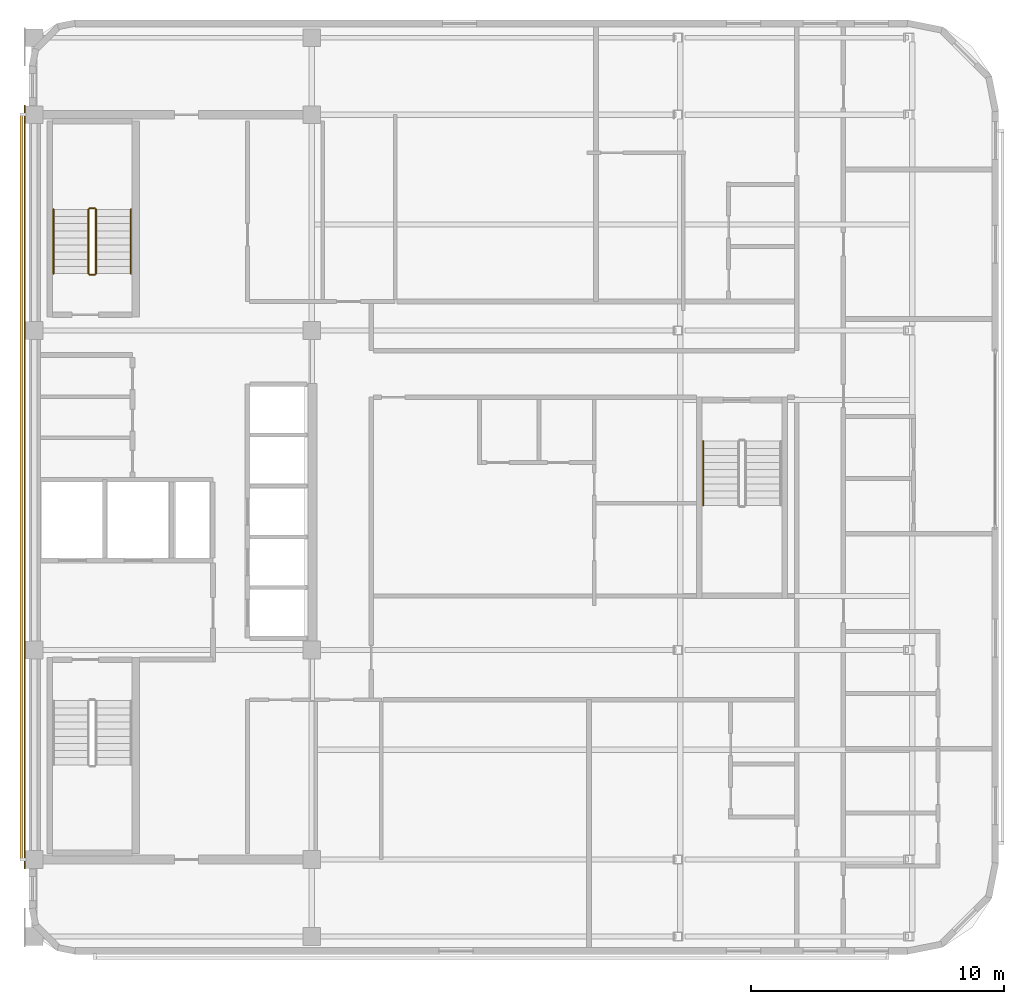
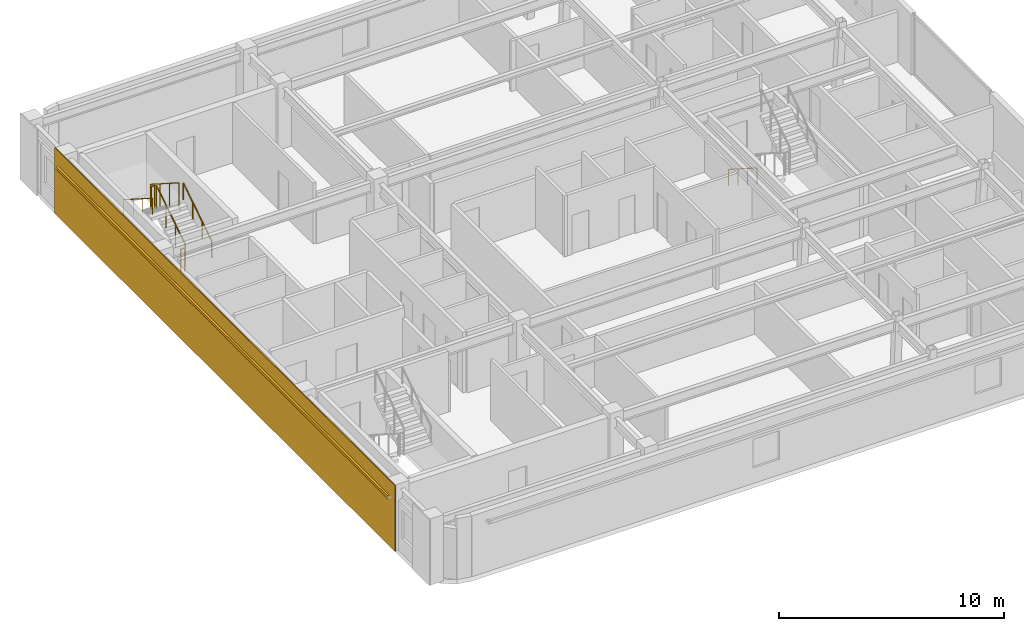
# One storey, part 9 of 11: 7 railings, 1 covering, 1 shading device.
"""IFC4 building model written with IfcOpenShell, lengths in metres."""

from ifc_helpers import new_model, si_unit, direction, frame, origin, origin_2d, place, context, subcontext, project, spatial, rectangle, circle, extrude, material, layer, layer_set, material_profile, profile_set, type_object, element, save


model = new_model("IFC4")

# Units and contexts
model_context = context("Model", 3, precision=1e-05, world=origin(), true_north=direction((0.0, 1.0)))
body_context = subcontext(model_context, "Body", "Model", "MODEL_VIEW")
ifc_project = project(units=[si_unit("LENGTHUNIT", "METRE"), si_unit("AREAUNIT", "SQUARE_METRE"), si_unit("VOLUMEUNIT", "CUBIC_METRE"), si_unit("PLANEANGLEUNIT", "RADIAN"), si_unit("MASSUNIT", "GRAM", prefix="KILO")], contexts=[model_context])

# Site, building, storey
site_placement = place(None, origin())
site = spatial("IfcSite", under=ifc_project, at=site_placement, CompositionType="ELEMENT")
building_placement = place(site_placement, origin())
building = spatial("IfcBuilding", under=site, at=building_placement, Name="Ochreholt Gables", CompositionType="ELEMENT")
storey_placement = place(building_placement, frame((0.0, 0.0, 278.39990234375)))
storey = spatial("IfcBuildingStorey", under=building, at=storey_placement, Name="L73", CompositionType="ELEMENT", Elevation=278.39990234375)

# Covering
ifc_material_1 = material(Name="Glazed Ochre Terracotta Rainscreen Cladding", Category="masonry")
ifc_layer = layer(ifc_material_1, 0.044921875, Name="Glazed Ochre Terracotta Rainscreen Cladding")
ifc_layer_set = layer_set([ifc_layer], Name="Glazed Ochre Terracotta Rainscreen Cladding")
covering_type = type_object("IfcCoveringType", Name="COV-CLAD-TC", PredefinedType="CLADDING", material=ifc_layer_set)
covering_placement = place(storey_placement, frame((23.827880859375, 24.0, 0.010009765625), z_axis=(0.0, 0.0, 1.0), x_axis=(0.0, 1.0, 0.0)))
element("IfcCovering", 1, at=covering_placement, inside=storey, type_object=covering_type, Name="L73 West Core Terracotta Rainscreen Cladding", PredefinedType="CLADDING", context=body_context, shape_type="SweptSolid", body=[
    extrude(rectangle(XDim=30.239990234375, YDim=0.044921875, at=origin_2d()), origin(), (0.0, 0.0, 1.0), 3.580078125),
])

# Railings
ifc_material_2 = material(Name="Painted Steel Stair Guardrail", Category="steel")
railing_type_1 = type_object("IfcRailingType", Name="RL-ST-GUARD", PredefinedType="GUARDRAIL", material=ifc_material_2)
railing_1_placement = place(storey_placement, frame((26.64990234375, 32.4599609375, 0.18017578125)))
element("IfcRailing", 2, at=railing_1_placement, inside=storey, type_object=railing_type_1, Name="L73 ST-2 stair guard 1", PredefinedType="GUARDRAIL", context=body_context, shape_type="SweptSolid", body=[
    extrude(circle(Radius=0.02392578125, at=origin_2d()), frame((0.0, 0.0, 1.22607421875), z_axis=(0.0, 0.842949592929, 0.537992549931), x_axis=(-1.0, 0.0, 0.0)), (0.0, 0.0, 1.0), 3.010986328125),
    extrude(circle(Radius=0.02099609375, at=origin_2d()), origin(), (0.0, 0.0, 1.0), 1.201904296875),
    extrude(circle(Radius=0.02099609375, at=origin_2d()), frame((0.0, 0.845947265625, 0.5400390625)), (0.0, 0.0, 1.0), 1.201904296875),
    extrude(circle(Radius=0.02099609375, at=origin_2d()), frame((0.0, 1.692138671875, 1.079833984375)), (0.0, 0.0, 1.0), 1.201904296875),
    extrude(circle(Radius=0.02099609375, at=origin_2d()), frame((0.0, 2.5380859375, 1.619873046875)), (0.0, 0.0, 1.0), 1.201904296875),
])
railing_2_placement = place(storey_placement, frame((26.60009765625, 35.048095703125, 1.800048828125)))
element("IfcRailing", 3, at=railing_2_placement, inside=storey, type_object=railing_type_1, Name="L73 ST-2 stair guard 2", PredefinedType="GUARDRAIL", context=body_context, shape_type="SweptSolid", body=[
    extrude(circle(Radius=0.02392578125, at=origin_2d()), frame((0.0, 0.0, 1.22607421875), z_axis=(-1.0, 0.0, 0.0), x_axis=(0.0, -1.0, 0.0)), (0.0, 0.0, 1.0), 0.2001953125),
    extrude(circle(Radius=0.02099609375, at=origin_2d()), origin(), (0.0, 0.0, 1.0), 1.201904296875),
    extrude(circle(Radius=0.02099609375, at=origin_2d()), frame((-0.2001953125, 0.0, 0.0)), (0.0, 0.0, 1.0), 1.201904296875),
])
railing_3_placement = place(storey_placement, frame((26.35009765625, 34.998046875, 1.97998046875)))
element("IfcRailing", 4, at=railing_3_placement, inside=storey, type_object=railing_type_1, Name="L73 ST-2 stair guard 3", PredefinedType="GUARDRAIL", context=body_context, shape_type="SweptSolid", body=[
    extrude(circle(Radius=0.02392578125, at=origin_2d()), frame((0.0, 0.0, 1.22607421875), z_axis=(0.0, -0.842912820907, 0.538050161556), x_axis=(1.0, 0.0, 0.0)), (0.0, 0.0, 1.0), 3.010986328125),
    extrude(circle(Radius=0.02099609375, at=origin_2d()), origin(), (0.0, 0.0, 1.0), 1.201904296875),
    extrude(circle(Radius=0.02099609375, at=origin_2d()), frame((0.0, -0.845947265625, 0.5400390625)), (0.0, 0.0, 1.0), 1.201904296875),
    extrude(circle(Radius=0.02099609375, at=origin_2d()), frame((0.0, -1.692138671875, 1.080078125)), (0.0, 0.0, 1.0), 1.201904296875),
    extrude(circle(Radius=0.02099609375, at=origin_2d()), frame((0.0, -2.5380859375, 1.6201171875)), (0.0, 0.0, 1.0), 1.201904296875),
])
railing_4_placement = place(storey_placement, frame((26.60009765625, 32.409912109375, 0.0)))
element("IfcRailing", 5, at=railing_4_placement, inside=storey, type_object=railing_type_1, Name="L73 ST-2 stair guard 4", PredefinedType="GUARDRAIL", context=body_context, shape_type="SweptSolid", body=[
    extrude(circle(Radius=0.02392578125, at=origin_2d()), frame((0.0, 0.0, 1.22607421875), z_axis=(-1.0, 0.0, 0.0), x_axis=(0.0, -1.0, 0.0)), (0.0, 0.0, 1.0), 0.2001953125),
    extrude(circle(Radius=0.02099609375, at=origin_2d()), origin(), (0.0, 0.0, 1.0), 1.201904296875),
    extrude(circle(Radius=0.02099609375, at=origin_2d()), frame((-0.2001953125, 0.0, 0.0)), (0.0, 0.0, 1.0), 1.201904296875),
])
ifc_material_3 = material(Name="Brushed Stainless Steel Wall Handrail", Category="steel")
railing_type_2 = type_object("IfcRailingType", Name="RL-ST-HAND", PredefinedType="HANDRAIL", material=ifc_material_3)
railing_5_placement = place(storey_placement, frame((28.030029296875, 32.4599609375, 0.18017578125)))
element("IfcRailing", 6, at=railing_5_placement, inside=storey, type_object=railing_type_2, Name="L73 ST-2 stair handrail 1", PredefinedType="HANDRAIL", context=body_context, shape_type="SweptSolid", body=[
    extrude(circle(Radius=0.02392578125, at=origin_2d()), frame((0.0, 0.0, 0.8759765625), z_axis=(0.0, 0.842949592929, 0.537992549931), x_axis=(-1.0, 0.0, 0.0)), (0.0, 0.0, 1.0), 3.010986328125),
    extrude(circle(Radius=0.02099609375, at=origin_2d()), origin(), (0.0, 0.0, 1.0), 0.851806640625),
    extrude(circle(Radius=0.02099609375, at=origin_2d()), frame((0.0, 0.845947265625, 0.5400390625)), (0.0, 0.0, 1.0), 0.851806640625),
    extrude(circle(Radius=0.02099609375, at=origin_2d()), frame((0.0, 1.692138671875, 1.079833984375)), (0.0, 0.0, 1.0), 0.851806640625),
    extrude(circle(Radius=0.02099609375, at=origin_2d()), frame((0.0, 2.5380859375, 1.619873046875)), (0.0, 0.0, 1.0), 0.851806640625),
])
railing_6_placement = place(storey_placement, frame((24.969970703125, 34.998046875, 1.97998046875)))
element("IfcRailing", 7, at=railing_6_placement, inside=storey, type_object=railing_type_2, Name="L73 ST-2 stair handrail 2", PredefinedType="HANDRAIL", context=body_context, shape_type="SweptSolid", body=[
    extrude(circle(Radius=0.02392578125, at=origin_2d()), frame((0.0, 0.0, 0.8759765625), z_axis=(0.0, -0.842912820907, 0.538050161556), x_axis=(1.0, 0.0, 0.0)), (0.0, 0.0, 1.0), 3.010986328125),
    extrude(circle(Radius=0.02099609375, at=origin_2d()), origin(), (0.0, 0.0, 1.0), 0.851806640625),
    extrude(circle(Radius=0.02099609375, at=origin_2d()), frame((0.0, -0.845947265625, 0.5400390625)), (0.0, 0.0, 1.0), 0.851806640625),
    extrude(circle(Radius=0.02099609375, at=origin_2d()), frame((0.0, -1.692138671875, 1.080078125)), (0.0, 0.0, 1.0), 0.851806640625),
    extrude(circle(Radius=0.02099609375, at=origin_2d()), frame((0.0, -2.5380859375, 1.6201171875)), (0.0, 0.0, 1.0), 0.851806640625),
])
railing_7_placement = place(storey_placement, frame((50.699951171875, 25.820068359375, 0.18017578125)))
element("IfcRailing", 8, at=railing_7_placement, inside=storey, type_object=railing_type_2, Name="L73 ST-C7 stair handrail 1", PredefinedType="HANDRAIL", context=body_context, shape_type="SweptSolid", body=[
    extrude(circle(Radius=0.02392578125, at=origin_2d()), frame((0.0, 0.0, 0.8759765625), z_axis=(0.0, -0.842949592929, 0.537992549931), x_axis=(1.0, 0.0, 0.0)), (0.0, 0.0, 1.0), 3.010986328125),
    extrude(circle(Radius=0.02099609375, at=origin_2d()), origin(), (0.0, 0.0, 1.0), 0.851806640625),
    extrude(circle(Radius=0.02099609375, at=origin_2d()), frame((0.0, -0.845947265625, 0.5400390625)), (0.0, 0.0, 1.0), 0.851806640625),
    extrude(circle(Radius=0.02099609375, at=origin_2d()), frame((0.0, -1.692138671875, 1.079833984375)), (0.0, 0.0, 1.0), 0.851806640625),
    extrude(circle(Radius=0.02099609375, at=origin_2d()), frame((0.0, -2.5380859375, 1.619873046875)), (0.0, 0.0, 1.0), 0.851806640625),
])

# Shading device
ifc_material_4 = material(Name="Warm Ochre Glazed Terracotta Baguette", Category="masonry")
ifc_material_profile = material_profile(ifc_material_4, rectangle(XDim=0.110107421875, YDim=0.14990234375, at=origin_2d()), Name="TCBAG110X150")
ifc_profile_set = profile_set([ifc_material_profile], Name="Warm Ochre Glazed Terracotta Baguette")
shading_device_type = type_object("IfcShadingDeviceType", Name="SHD-BAGUETTE", PredefinedType="USERDEFINED", material=ifc_profile_set)
shading_device_placement = place(storey_placement, frame((23.699951171875, 38.75, 2.780029296875), z_axis=(0.0, -1.0, 0.0), x_axis=(1.0, 0.0, 0.0)))
element("IfcShadingDevice", 9, at=shading_device_placement, inside=storey, type_object=shading_device_type, Name="L73 Terracotta Baguette Screen W-1", ObjectType="BAGUETTE", PredefinedType="USERDEFINED", context=body_context, shape_type="SweptSolid", body=[
    extrude(rectangle(XDim=0.110107421875, YDim=0.14990234375, at=origin_2d()), origin(), (0.0, 0.0, 1.0), 29.5),
])

save(model, "model.ifc")
